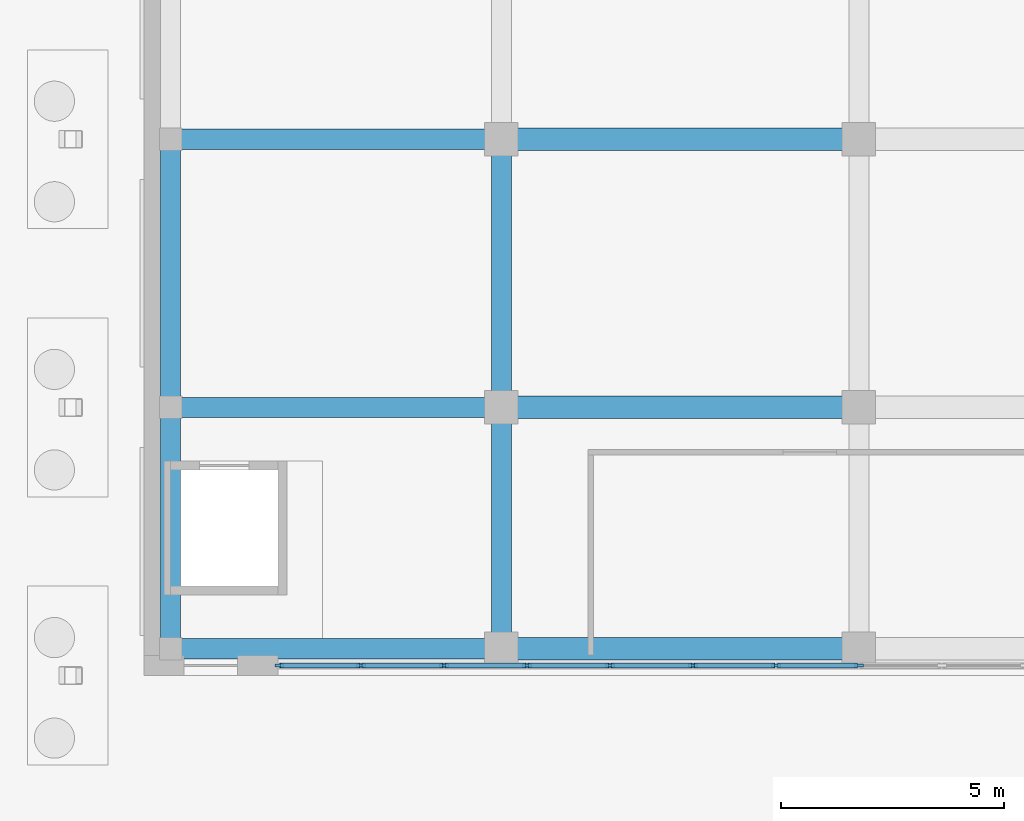
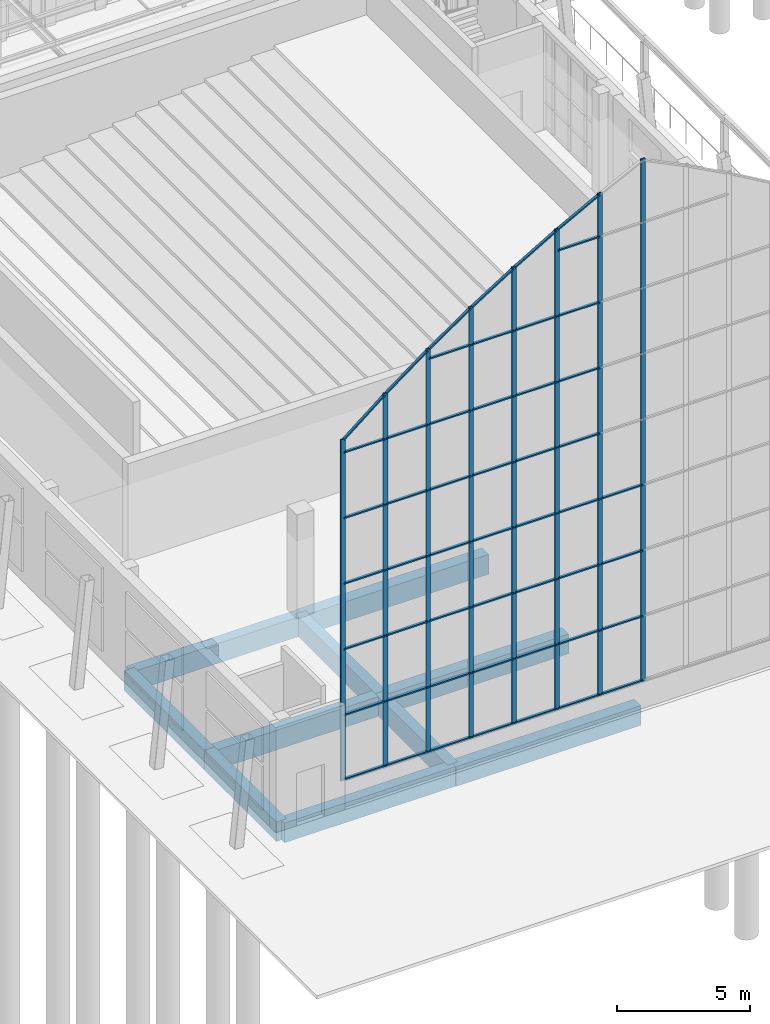
# One storey, part 25 of 144: 59 members, 10 beams, 1 element without a shape of its own.
"""IFC4 building model written with IfcOpenShell, lengths in metres."""

from ifc_helpers import new_model, si_unit, direction, frame, origin, origin_2d, place, context, subcontext, project, spatial, rectangle, extrude, material, layer, layer_set, material_profile, profile_set, type_object, element, aggregate, save


model = new_model("IFC4")

# Units and contexts
model_context = context("Model", 3, precision=1e-05, world=origin(), true_north=direction((0.0, 1.0)))
body_context = subcontext(model_context, "Body", "Model", "MODEL_VIEW")
ifc_project = project(units=[si_unit("LENGTHUNIT", "METRE"), si_unit("AREAUNIT", "SQUARE_METRE"), si_unit("VOLUMEUNIT", "CUBIC_METRE"), si_unit("PLANEANGLEUNIT", "RADIAN"), si_unit("MASSUNIT", "GRAM", prefix="KILO")], contexts=[model_context])

# Site, building, storey
site_placement = place(None, origin())
site = spatial("IfcSite", under=ifc_project, at=site_placement, CompositionType="ELEMENT")
building_placement = place(site_placement, origin())
building = spatial("IfcBuilding", under=site, at=building_placement, Name="Lantern Court Media Centre", CompositionType="ELEMENT")
storey_placement = place(building_placement, origin())
storey = spatial("IfcBuildingStorey", under=building, at=storey_placement, Name="L00", CompositionType="ELEMENT", Elevation=0.0)

# Curtain wall, members
ifc_material_1 = material(Name="Aluminium and glass", Category="aluminium")
ifc_layer = layer(ifc_material_1, 0.14990234375)
ifc_layer_set = layer_set([ifc_layer], Name="Aluminium and glass")
curtain_wall_type = type_object("IfcCurtainWallType", Name="Hall lancet glazing", PredefinedType="NOTDEFINED", material=ifc_layer_set)
curtain_wall_placement = place(storey_placement, origin())
curtain_wall = element("IfcCurtainWall", 1, at=curtain_wall_placement, inside=storey, type_object=curtain_wall_type, Name="Cinema Hall HCW-V10 glazing", PredefinedType="NOTDEFINED")
ifc_material_2 = material(Name="Aluminium, anodised", Category="aluminium")
ifc_material_profile_1 = material_profile(ifc_material_2, rectangle(XDim=0.06005859375, YDim=0.199951171875, at=origin_2d()), Name="HM")
ifc_profile_set_1 = profile_set([ifc_material_profile_1], Name="Aluminium, anodised")
member_type_1 = type_object("IfcMemberType", Name="HM", PredefinedType="MULLION", material=ifc_profile_set_1)
member_1_placement = place(storey_placement, frame((3.030029296875, -1.77490234375, 1.199951171875), z_axis=(0.0, 0.0, 1.0), x_axis=(0.0, 1.0, 0.0)))
member_1 = element("IfcMember", 2, at=member_1_placement, type_object=member_type_1, Name="HCW-V10 mullion 1", PredefinedType="MULLION", context=body_context, shape_type="SweptSolid", body=[
    extrude(rectangle(XDim=0.06005859375, YDim=0.199951171875, at=origin_2d()), origin(), (0.0, 0.0, 1.0), 15.616455078125),
])
member_2_placement = place(storey_placement, frame((4.857177734375, -1.77490234375, 1.199951171875), z_axis=(0.0, 0.0, 1.0), x_axis=(0.0, 1.0, 0.0)))
member_2 = element("IfcMember", 3, at=member_2_placement, type_object=member_type_1, Name="HCW-V10 mullion 2", PredefinedType="MULLION", context=body_context, shape_type="SweptSolid", body=[
    extrude(rectangle(XDim=0.06005859375, YDim=0.199951171875, at=origin_2d()), origin(), (0.0, 0.0, 1.0), 17.086181640625),
])
member_3_placement = place(storey_placement, frame((6.71435546875, -1.77490234375, 1.199951171875), z_axis=(0.0, 0.0, 1.0), x_axis=(0.0, 1.0, 0.0)))
member_3 = element("IfcMember", 4, at=member_3_placement, type_object=member_type_1, Name="HCW-V10 mullion 3", PredefinedType="MULLION", context=body_context, shape_type="SweptSolid", body=[
    extrude(rectangle(XDim=0.06005859375, YDim=0.199951171875, at=origin_2d()), origin(), (0.0, 0.0, 1.0), 18.465087890625),
])
member_4_placement = place(storey_placement, frame((8.571533203125, -1.77490234375, 1.199951171875), z_axis=(0.0, 0.0, 1.0), x_axis=(0.0, 1.0, 0.0)))
member_4 = element("IfcMember", 5, at=member_4_placement, type_object=member_type_1, Name="HCW-V10 mullion 4", PredefinedType="MULLION", context=body_context, shape_type="SweptSolid", body=[
    extrude(rectangle(XDim=0.06005859375, YDim=0.199951171875, at=origin_2d()), origin(), (0.0, 0.0, 1.0), 19.737060546875),
])
member_5_placement = place(storey_placement, frame((10.428466796875, -1.77490234375, 1.199951171875), z_axis=(0.0, 0.0, 1.0), x_axis=(0.0, 1.0, 0.0)))
member_5 = element("IfcMember", 6, at=member_5_placement, type_object=member_type_1, Name="HCW-V10 mullion 5", PredefinedType="MULLION", context=body_context, shape_type="SweptSolid", body=[
    extrude(rectangle(XDim=0.06005859375, YDim=0.199951171875, at=origin_2d()), origin(), (0.0, 0.0, 1.0), 20.910400390625),
])
member_6_placement = place(storey_placement, frame((12.28564453125, -1.77490234375, 1.199951171875), z_axis=(0.0, 0.0, 1.0), x_axis=(0.0, 1.0, 0.0)))
member_6 = element("IfcMember", 7, at=member_6_placement, type_object=member_type_1, Name="HCW-V10 mullion 6", PredefinedType="MULLION", context=body_context, shape_type="SweptSolid", body=[
    extrude(rectangle(XDim=0.06005859375, YDim=0.199951171875, at=origin_2d()), origin(), (0.0, 0.0, 1.0), 21.991943359375),
])
member_7_placement = place(storey_placement, frame((14.142822265625, -1.77490234375, 1.199951171875), z_axis=(0.0, 0.0, 1.0), x_axis=(0.0, 1.0, 0.0)))
member_7 = element("IfcMember", 8, at=member_7_placement, type_object=member_type_1, Name="HCW-V10 mullion 7", PredefinedType="MULLION", context=body_context, shape_type="SweptSolid", body=[
    extrude(rectangle(XDim=0.06005859375, YDim=0.199951171875, at=origin_2d()), origin(), (0.0, 0.0, 1.0), 22.98681640625),
])
member_8_placement = place(storey_placement, frame((16.0, -1.77490234375, 1.199951171875), z_axis=(0.0, 0.0, 1.0), x_axis=(0.0, 1.0, 0.0)))
member_8 = element("IfcMember", 9, at=member_8_placement, type_object=member_type_1, Name="HCW-V10 mullion 8", PredefinedType="MULLION", context=body_context, shape_type="SweptSolid", body=[
    extrude(rectangle(XDim=0.06005859375, YDim=0.199951171875, at=origin_2d()), origin(), (0.0, 0.0, 1.0), 23.900146484375),
])
ifc_material_profile_2 = material_profile(ifc_material_2, rectangle(XDim=0.1201171875, YDim=0.06005859375, at=origin_2d()), Name="HT")
ifc_profile_set_2 = profile_set([ifc_material_profile_2], Name="Aluminium, anodised")
member_type_2 = type_object("IfcMemberType", Name="HT", PredefinedType="USERDEFINED", material=ifc_profile_set_2)
member_9_placement = place(storey_placement, frame((3.06005859375, -1.77490234375, 1.260009765625), z_axis=(1.0, 0.0, 0.0), x_axis=(0.0, 1.0, 0.0)))
member_9 = element("IfcMember", 10, at=member_9_placement, type_object=member_type_2, Name="HCW-V10 transom 1.1", ObjectType="TRANSOM", PredefinedType="USERDEFINED", context=body_context, shape_type="SweptSolid", body=[
    extrude(rectangle(XDim=0.1201171875, YDim=0.06005859375, at=origin_2d()), origin(), (0.0, 0.0, 1.0), 1.76708984375),
])
member_10_placement = place(storey_placement, frame((3.06005859375, -1.77490234375, 4.199951171875), z_axis=(1.0, 0.0, 0.0), x_axis=(0.0, 1.0, 0.0)))
member_10 = element("IfcMember", 11, at=member_10_placement, type_object=member_type_2, Name="HCW-V10 transom 1.2", ObjectType="TRANSOM", PredefinedType="USERDEFINED", context=body_context, shape_type="SweptSolid", body=[
    extrude(rectangle(XDim=0.1201171875, YDim=0.06005859375, at=origin_2d()), origin(), (0.0, 0.0, 1.0), 1.76708984375),
])
member_11_placement = place(storey_placement, frame((3.06005859375, -1.77490234375, 7.199951171875), z_axis=(1.0, 0.0, 0.0), x_axis=(0.0, 1.0, 0.0)))
member_11 = element("IfcMember", 12, at=member_11_placement, type_object=member_type_2, Name="HCW-V10 transom 1.3", ObjectType="TRANSOM", PredefinedType="USERDEFINED", context=body_context, shape_type="SweptSolid", body=[
    extrude(rectangle(XDim=0.1201171875, YDim=0.06005859375, at=origin_2d()), origin(), (0.0, 0.0, 1.0), 1.76708984375),
])
member_12_placement = place(storey_placement, frame((3.06005859375, -1.77490234375, 10.199951171875), z_axis=(1.0, 0.0, 0.0), x_axis=(0.0, 1.0, 0.0)))
member_12 = element("IfcMember", 13, at=member_12_placement, type_object=member_type_2, Name="HCW-V10 transom 1.4", ObjectType="TRANSOM", PredefinedType="USERDEFINED", context=body_context, shape_type="SweptSolid", body=[
    extrude(rectangle(XDim=0.1201171875, YDim=0.06005859375, at=origin_2d()), origin(), (0.0, 0.0, 1.0), 1.76708984375),
])
member_13_placement = place(storey_placement, frame((3.06005859375, -1.77490234375, 13.199951171875), z_axis=(1.0, 0.0, 0.0), x_axis=(0.0, 1.0, 0.0)))
member_13 = element("IfcMember", 14, at=member_13_placement, type_object=member_type_2, Name="HCW-V10 transom 1.5", ObjectType="TRANSOM", PredefinedType="USERDEFINED", context=body_context, shape_type="SweptSolid", body=[
    extrude(rectangle(XDim=0.1201171875, YDim=0.06005859375, at=origin_2d()), origin(), (0.0, 0.0, 1.0), 1.76708984375),
])
member_14_placement = place(storey_placement, frame((3.06005859375, -1.77490234375, 16.199951171875), z_axis=(1.0, 0.0, 0.0), x_axis=(0.0, 1.0, 0.0)))
member_14 = element("IfcMember", 15, at=member_14_placement, type_object=member_type_2, Name="HCW-V10 transom 1.6", ObjectType="TRANSOM", PredefinedType="USERDEFINED", context=body_context, shape_type="SweptSolid", body=[
    extrude(rectangle(XDim=0.1201171875, YDim=0.06005859375, at=origin_2d()), origin(), (0.0, 0.0, 1.0), 1.76708984375),
])
member_15_placement = place(storey_placement, frame((3.06005859375, -1.77490234375, 16.781494140625), z_axis=(0.779154016633, 0.0, 0.626832528164), x_axis=(0.0, 1.0, 0.0)))
member_15 = element("IfcMember", 16, at=member_15_placement, type_object=member_type_2, Name="HCW-V10 head member 1", ObjectType="TRANSOM", PredefinedType="USERDEFINED", context=body_context, shape_type="SweptSolid", body=[
    extrude(rectangle(XDim=0.1201171875, YDim=0.06005859375, at=origin_2d()), origin(), (0.0, 0.0, 1.0), 2.26806640625),
])
member_16_placement = place(storey_placement, frame((4.88720703125, -1.77490234375, 1.260009765625), z_axis=(1.0, 0.0, 0.0), x_axis=(0.0, 1.0, 0.0)))
member_16 = element("IfcMember", 17, at=member_16_placement, type_object=member_type_2, Name="HCW-V10 transom 2.1", ObjectType="TRANSOM", PredefinedType="USERDEFINED", context=body_context, shape_type="SweptSolid", body=[
    extrude(rectangle(XDim=0.1201171875, YDim=0.06005859375, at=origin_2d()), origin(), (0.0, 0.0, 1.0), 1.797119140625),
])
member_17_placement = place(storey_placement, frame((4.88720703125, -1.77490234375, 4.199951171875), z_axis=(1.0, 0.0, 0.0), x_axis=(0.0, 1.0, 0.0)))
member_17 = element("IfcMember", 18, at=member_17_placement, type_object=member_type_2, Name="HCW-V10 transom 2.2", ObjectType="TRANSOM", PredefinedType="USERDEFINED", context=body_context, shape_type="SweptSolid", body=[
    extrude(rectangle(XDim=0.1201171875, YDim=0.06005859375, at=origin_2d()), origin(), (0.0, 0.0, 1.0), 1.797119140625),
])
member_18_placement = place(storey_placement, frame((4.88720703125, -1.77490234375, 7.199951171875), z_axis=(1.0, 0.0, 0.0), x_axis=(0.0, 1.0, 0.0)))
member_18 = element("IfcMember", 19, at=member_18_placement, type_object=member_type_2, Name="HCW-V10 transom 2.3", ObjectType="TRANSOM", PredefinedType="USERDEFINED", context=body_context, shape_type="SweptSolid", body=[
    extrude(rectangle(XDim=0.1201171875, YDim=0.06005859375, at=origin_2d()), origin(), (0.0, 0.0, 1.0), 1.797119140625),
])
member_19_placement = place(storey_placement, frame((4.88720703125, -1.77490234375, 10.199951171875), z_axis=(1.0, 0.0, 0.0), x_axis=(0.0, 1.0, 0.0)))
member_19 = element("IfcMember", 20, at=member_19_placement, type_object=member_type_2, Name="HCW-V10 transom 2.4", ObjectType="TRANSOM", PredefinedType="USERDEFINED", context=body_context, shape_type="SweptSolid", body=[
    extrude(rectangle(XDim=0.1201171875, YDim=0.06005859375, at=origin_2d()), origin(), (0.0, 0.0, 1.0), 1.797119140625),
])
member_20_placement = place(storey_placement, frame((4.88720703125, -1.77490234375, 13.199951171875), z_axis=(1.0, 0.0, 0.0), x_axis=(0.0, 1.0, 0.0)))
member_20 = element("IfcMember", 21, at=member_20_placement, type_object=member_type_2, Name="HCW-V10 transom 2.5", ObjectType="TRANSOM", PredefinedType="USERDEFINED", context=body_context, shape_type="SweptSolid", body=[
    extrude(rectangle(XDim=0.1201171875, YDim=0.06005859375, at=origin_2d()), origin(), (0.0, 0.0, 1.0), 1.797119140625),
])
member_21_placement = place(storey_placement, frame((4.88720703125, -1.77490234375, 16.199951171875), z_axis=(1.0, 0.0, 0.0), x_axis=(0.0, 1.0, 0.0)))
member_21 = element("IfcMember", 22, at=member_21_placement, type_object=member_type_2, Name="HCW-V10 transom 2.6", ObjectType="TRANSOM", PredefinedType="USERDEFINED", context=body_context, shape_type="SweptSolid", body=[
    extrude(rectangle(XDim=0.1201171875, YDim=0.06005859375, at=origin_2d()), origin(), (0.0, 0.0, 1.0), 1.797119140625),
])
member_22_placement = place(storey_placement, frame((4.88720703125, -1.77490234375, 18.24951171875), z_axis=(0.802961616558, 0.0, 0.596030739421), x_axis=(0.0, 1.0, 0.0)))
member_22 = element("IfcMember", 23, at=member_22_placement, type_object=member_type_2, Name="HCW-V10 head member 2", ObjectType="TRANSOM", PredefinedType="USERDEFINED", context=body_context, shape_type="SweptSolid", body=[
    extrude(rectangle(XDim=0.1201171875, YDim=0.06005859375, at=origin_2d()), origin(), (0.0, 0.0, 1.0), 2.238037109375),
])
member_23_placement = place(storey_placement, frame((6.744384765625, -1.77490234375, 1.260009765625), z_axis=(1.0, 0.0, 0.0), x_axis=(0.0, 1.0, 0.0)))
member_23 = element("IfcMember", 24, at=member_23_placement, type_object=member_type_2, Name="HCW-V10 transom 3.1", ObjectType="TRANSOM", PredefinedType="USERDEFINED", context=body_context, shape_type="SweptSolid", body=[
    extrude(rectangle(XDim=0.1201171875, YDim=0.06005859375, at=origin_2d()), origin(), (0.0, 0.0, 1.0), 1.797119140625),
])
member_24_placement = place(storey_placement, frame((6.744384765625, -1.77490234375, 4.199951171875), z_axis=(1.0, 0.0, 0.0), x_axis=(0.0, 1.0, 0.0)))
member_24 = element("IfcMember", 25, at=member_24_placement, type_object=member_type_2, Name="HCW-V10 transom 3.2", ObjectType="TRANSOM", PredefinedType="USERDEFINED", context=body_context, shape_type="SweptSolid", body=[
    extrude(rectangle(XDim=0.1201171875, YDim=0.06005859375, at=origin_2d()), origin(), (0.0, 0.0, 1.0), 1.797119140625),
])
member_25_placement = place(storey_placement, frame((6.744384765625, -1.77490234375, 7.199951171875), z_axis=(1.0, 0.0, 0.0), x_axis=(0.0, 1.0, 0.0)))
member_25 = element("IfcMember", 26, at=member_25_placement, type_object=member_type_2, Name="HCW-V10 transom 3.3", ObjectType="TRANSOM", PredefinedType="USERDEFINED", context=body_context, shape_type="SweptSolid", body=[
    extrude(rectangle(XDim=0.1201171875, YDim=0.06005859375, at=origin_2d()), origin(), (0.0, 0.0, 1.0), 1.797119140625),
])
member_26_placement = place(storey_placement, frame((6.744384765625, -1.77490234375, 10.199951171875), z_axis=(1.0, 0.0, 0.0), x_axis=(0.0, 1.0, 0.0)))
member_26 = element("IfcMember", 27, at=member_26_placement, type_object=member_type_2, Name="HCW-V10 transom 3.4", ObjectType="TRANSOM", PredefinedType="USERDEFINED", context=body_context, shape_type="SweptSolid", body=[
    extrude(rectangle(XDim=0.1201171875, YDim=0.06005859375, at=origin_2d()), origin(), (0.0, 0.0, 1.0), 1.797119140625),
])
member_27_placement = place(storey_placement, frame((6.744384765625, -1.77490234375, 13.199951171875), z_axis=(1.0, 0.0, 0.0), x_axis=(0.0, 1.0, 0.0)))
member_27 = element("IfcMember", 28, at=member_27_placement, type_object=member_type_2, Name="HCW-V10 transom 3.5", ObjectType="TRANSOM", PredefinedType="USERDEFINED", context=body_context, shape_type="SweptSolid", body=[
    extrude(rectangle(XDim=0.1201171875, YDim=0.06005859375, at=origin_2d()), origin(), (0.0, 0.0, 1.0), 1.797119140625),
])
member_28_placement = place(storey_placement, frame((6.744384765625, -1.77490234375, 16.199951171875), z_axis=(1.0, 0.0, 0.0), x_axis=(0.0, 1.0, 0.0)))
member_28 = element("IfcMember", 29, at=member_28_placement, type_object=member_type_2, Name="HCW-V10 transom 3.6", ObjectType="TRANSOM", PredefinedType="USERDEFINED", context=body_context, shape_type="SweptSolid", body=[
    extrude(rectangle(XDim=0.1201171875, YDim=0.06005859375, at=origin_2d()), origin(), (0.0, 0.0, 1.0), 1.797119140625),
])
member_29_placement = place(storey_placement, frame((6.744384765625, -1.77490234375, 19.199951171875), z_axis=(1.0, 0.0, 0.0), x_axis=(0.0, 1.0, 0.0)))
member_29 = element("IfcMember", 30, at=member_29_placement, type_object=member_type_2, Name="HCW-V10 transom 3.7", ObjectType="TRANSOM", PredefinedType="USERDEFINED", context=body_context, shape_type="SweptSolid", body=[
    extrude(rectangle(XDim=0.1201171875, YDim=0.06005859375, at=origin_2d()), origin(), (0.0, 0.0, 1.0), 1.797119140625),
])
member_30_placement = place(storey_placement, frame((6.744384765625, -1.77490234375, 19.626220703125), z_axis=(0.825018495386, 0.0, 0.565105726631), x_axis=(0.0, 1.0, 0.0)))
member_30 = element("IfcMember", 31, at=member_30_placement, type_object=member_type_2, Name="HCW-V10 head member 3", ObjectType="TRANSOM", PredefinedType="USERDEFINED", context=body_context, shape_type="SweptSolid", body=[
    extrude(rectangle(XDim=0.1201171875, YDim=0.06005859375, at=origin_2d()), origin(), (0.0, 0.0, 1.0), 2.17822265625),
])
member_31_placement = place(storey_placement, frame((8.601318359375, -1.77490234375, 1.260009765625), z_axis=(1.0, 0.0, 0.0), x_axis=(0.0, 1.0, 0.0)))
member_31 = element("IfcMember", 32, at=member_31_placement, type_object=member_type_2, Name="HCW-V10 transom 4.1", ObjectType="TRANSOM", PredefinedType="USERDEFINED", context=body_context, shape_type="SweptSolid", body=[
    extrude(rectangle(XDim=0.1201171875, YDim=0.06005859375, at=origin_2d()), origin(), (0.0, 0.0, 1.0), 1.79736328125),
])
member_32_placement = place(storey_placement, frame((8.601318359375, -1.77490234375, 4.199951171875), z_axis=(1.0, 0.0, 0.0), x_axis=(0.0, 1.0, 0.0)))
member_32 = element("IfcMember", 33, at=member_32_placement, type_object=member_type_2, Name="HCW-V10 transom 4.2", ObjectType="TRANSOM", PredefinedType="USERDEFINED", context=body_context, shape_type="SweptSolid", body=[
    extrude(rectangle(XDim=0.1201171875, YDim=0.06005859375, at=origin_2d()), origin(), (0.0, 0.0, 1.0), 1.79736328125),
])
member_33_placement = place(storey_placement, frame((8.601318359375, -1.77490234375, 7.199951171875), z_axis=(1.0, 0.0, 0.0), x_axis=(0.0, 1.0, 0.0)))
member_33 = element("IfcMember", 34, at=member_33_placement, type_object=member_type_2, Name="HCW-V10 transom 4.3", ObjectType="TRANSOM", PredefinedType="USERDEFINED", context=body_context, shape_type="SweptSolid", body=[
    extrude(rectangle(XDim=0.1201171875, YDim=0.06005859375, at=origin_2d()), origin(), (0.0, 0.0, 1.0), 1.79736328125),
])
member_34_placement = place(storey_placement, frame((8.601318359375, -1.77490234375, 10.199951171875), z_axis=(1.0, 0.0, 0.0), x_axis=(0.0, 1.0, 0.0)))
member_34 = element("IfcMember", 35, at=member_34_placement, type_object=member_type_2, Name="HCW-V10 transom 4.4", ObjectType="TRANSOM", PredefinedType="USERDEFINED", context=body_context, shape_type="SweptSolid", body=[
    extrude(rectangle(XDim=0.1201171875, YDim=0.06005859375, at=origin_2d()), origin(), (0.0, 0.0, 1.0), 1.79736328125),
])
member_35_placement = place(storey_placement, frame((8.601318359375, -1.77490234375, 13.199951171875), z_axis=(1.0, 0.0, 0.0), x_axis=(0.0, 1.0, 0.0)))
member_35 = element("IfcMember", 36, at=member_35_placement, type_object=member_type_2, Name="HCW-V10 transom 4.5", ObjectType="TRANSOM", PredefinedType="USERDEFINED", context=body_context, shape_type="SweptSolid", body=[
    extrude(rectangle(XDim=0.1201171875, YDim=0.06005859375, at=origin_2d()), origin(), (0.0, 0.0, 1.0), 1.79736328125),
])
member_36_placement = place(storey_placement, frame((8.601318359375, -1.77490234375, 16.199951171875), z_axis=(1.0, 0.0, 0.0), x_axis=(0.0, 1.0, 0.0)))
member_36 = element("IfcMember", 37, at=member_36_placement, type_object=member_type_2, Name="HCW-V10 transom 4.6", ObjectType="TRANSOM", PredefinedType="USERDEFINED", context=body_context, shape_type="SweptSolid", body=[
    extrude(rectangle(XDim=0.1201171875, YDim=0.06005859375, at=origin_2d()), origin(), (0.0, 0.0, 1.0), 1.79736328125),
])
member_37_placement = place(storey_placement, frame((8.601318359375, -1.77490234375, 19.199951171875), z_axis=(1.0, 0.0, 0.0), x_axis=(0.0, 1.0, 0.0)))
member_37 = element("IfcMember", 38, at=member_37_placement, type_object=member_type_2, Name="HCW-V10 transom 4.7", ObjectType="TRANSOM", PredefinedType="USERDEFINED", context=body_context, shape_type="SweptSolid", body=[
    extrude(rectangle(XDim=0.1201171875, YDim=0.06005859375, at=origin_2d()), origin(), (0.0, 0.0, 1.0), 1.79736328125),
])
member_38_placement = place(storey_placement, frame((8.601318359375, -1.77490234375, 20.896728515625), z_axis=(0.845420676883, 0.0, 0.53410100084), x_axis=(0.0, 1.0, 0.0)))
member_38 = element("IfcMember", 39, at=member_38_placement, type_object=member_type_2, Name="HCW-V10 head member 4", ObjectType="TRANSOM", PredefinedType="USERDEFINED", context=body_context, shape_type="SweptSolid", body=[
    extrude(rectangle(XDim=0.1201171875, YDim=0.06005859375, at=origin_2d()), origin(), (0.0, 0.0, 1.0), 2.1259765625),
])
member_39_placement = place(storey_placement, frame((10.45849609375, -1.77490234375, 1.260009765625), z_axis=(1.0, 0.0, 0.0), x_axis=(0.0, 1.0, 0.0)))
member_39 = element("IfcMember", 40, at=member_39_placement, type_object=member_type_2, Name="HCW-V10 transom 5.1", ObjectType="TRANSOM", PredefinedType="USERDEFINED", context=body_context, shape_type="SweptSolid", body=[
    extrude(rectangle(XDim=0.1201171875, YDim=0.06005859375, at=origin_2d()), origin(), (0.0, 0.0, 1.0), 1.797119140625),
])
member_40_placement = place(storey_placement, frame((10.45849609375, -1.77490234375, 4.199951171875), z_axis=(1.0, 0.0, 0.0), x_axis=(0.0, 1.0, 0.0)))
member_40 = element("IfcMember", 41, at=member_40_placement, type_object=member_type_2, Name="HCW-V10 transom 5.2", ObjectType="TRANSOM", PredefinedType="USERDEFINED", context=body_context, shape_type="SweptSolid", body=[
    extrude(rectangle(XDim=0.1201171875, YDim=0.06005859375, at=origin_2d()), origin(), (0.0, 0.0, 1.0), 1.797119140625),
])
member_41_placement = place(storey_placement, frame((10.45849609375, -1.77490234375, 7.199951171875), z_axis=(1.0, 0.0, 0.0), x_axis=(0.0, 1.0, 0.0)))
member_41 = element("IfcMember", 42, at=member_41_placement, type_object=member_type_2, Name="HCW-V10 transom 5.3", ObjectType="TRANSOM", PredefinedType="USERDEFINED", context=body_context, shape_type="SweptSolid", body=[
    extrude(rectangle(XDim=0.1201171875, YDim=0.06005859375, at=origin_2d()), origin(), (0.0, 0.0, 1.0), 1.797119140625),
])
member_42_placement = place(storey_placement, frame((10.45849609375, -1.77490234375, 10.199951171875), z_axis=(1.0, 0.0, 0.0), x_axis=(0.0, 1.0, 0.0)))
member_42 = element("IfcMember", 43, at=member_42_placement, type_object=member_type_2, Name="HCW-V10 transom 5.4", ObjectType="TRANSOM", PredefinedType="USERDEFINED", context=body_context, shape_type="SweptSolid", body=[
    extrude(rectangle(XDim=0.1201171875, YDim=0.06005859375, at=origin_2d()), origin(), (0.0, 0.0, 1.0), 1.797119140625),
])
member_43_placement = place(storey_placement, frame((10.45849609375, -1.77490234375, 13.199951171875), z_axis=(1.0, 0.0, 0.0), x_axis=(0.0, 1.0, 0.0)))
member_43 = element("IfcMember", 44, at=member_43_placement, type_object=member_type_2, Name="HCW-V10 transom 5.5", ObjectType="TRANSOM", PredefinedType="USERDEFINED", context=body_context, shape_type="SweptSolid", body=[
    extrude(rectangle(XDim=0.1201171875, YDim=0.06005859375, at=origin_2d()), origin(), (0.0, 0.0, 1.0), 1.797119140625),
])
member_44_placement = place(storey_placement, frame((10.45849609375, -1.77490234375, 16.199951171875), z_axis=(1.0, 0.0, 0.0), x_axis=(0.0, 1.0, 0.0)))
member_44 = element("IfcMember", 45, at=member_44_placement, type_object=member_type_2, Name="HCW-V10 transom 5.6", ObjectType="TRANSOM", PredefinedType="USERDEFINED", context=body_context, shape_type="SweptSolid", body=[
    extrude(rectangle(XDim=0.1201171875, YDim=0.06005859375, at=origin_2d()), origin(), (0.0, 0.0, 1.0), 1.797119140625),
])
member_45_placement = place(storey_placement, frame((10.45849609375, -1.77490234375, 19.199951171875), z_axis=(1.0, 0.0, 0.0), x_axis=(0.0, 1.0, 0.0)))
member_45 = element("IfcMember", 46, at=member_45_placement, type_object=member_type_2, Name="HCW-V10 transom 5.7", ObjectType="TRANSOM", PredefinedType="USERDEFINED", context=body_context, shape_type="SweptSolid", body=[
    extrude(rectangle(XDim=0.1201171875, YDim=0.06005859375, at=origin_2d()), origin(), (0.0, 0.0, 1.0), 1.797119140625),
])
member_46_placement = place(storey_placement, frame((10.45849609375, -1.77490234375, 22.068603515625), z_axis=(0.864183136309, 0.0, 0.503177410979), x_axis=(0.0, 1.0, 0.0)))
member_46 = element("IfcMember", 47, at=member_46_placement, type_object=member_type_2, Name="HCW-V10 head member 5", ObjectType="TRANSOM", PredefinedType="USERDEFINED", context=body_context, shape_type="SweptSolid", body=[
    extrude(rectangle(XDim=0.1201171875, YDim=0.06005859375, at=origin_2d()), origin(), (0.0, 0.0, 1.0), 2.07958984375),
])
member_47_placement = place(storey_placement, frame((12.315673828125, -1.77490234375, 1.260009765625), z_axis=(1.0, 0.0, 0.0), x_axis=(0.0, 1.0, 0.0)))
member_47 = element("IfcMember", 48, at=member_47_placement, type_object=member_type_2, Name="HCW-V10 transom 6.1", ObjectType="TRANSOM", PredefinedType="USERDEFINED", context=body_context, shape_type="SweptSolid", body=[
    extrude(rectangle(XDim=0.1201171875, YDim=0.06005859375, at=origin_2d()), origin(), (0.0, 0.0, 1.0), 1.797119140625),
])
member_48_placement = place(storey_placement, frame((12.315673828125, -1.77490234375, 4.199951171875), z_axis=(1.0, 0.0, 0.0), x_axis=(0.0, 1.0, 0.0)))
member_48 = element("IfcMember", 49, at=member_48_placement, type_object=member_type_2, Name="HCW-V10 transom 6.2", ObjectType="TRANSOM", PredefinedType="USERDEFINED", context=body_context, shape_type="SweptSolid", body=[
    extrude(rectangle(XDim=0.1201171875, YDim=0.06005859375, at=origin_2d()), origin(), (0.0, 0.0, 1.0), 1.797119140625),
])
member_49_placement = place(storey_placement, frame((12.315673828125, -1.77490234375, 7.199951171875), z_axis=(1.0, 0.0, 0.0), x_axis=(0.0, 1.0, 0.0)))
member_49 = element("IfcMember", 50, at=member_49_placement, type_object=member_type_2, Name="HCW-V10 transom 6.3", ObjectType="TRANSOM", PredefinedType="USERDEFINED", context=body_context, shape_type="SweptSolid", body=[
    extrude(rectangle(XDim=0.1201171875, YDim=0.06005859375, at=origin_2d()), origin(), (0.0, 0.0, 1.0), 1.797119140625),
])
member_50_placement = place(storey_placement, frame((12.315673828125, -1.77490234375, 10.199951171875), z_axis=(1.0, 0.0, 0.0), x_axis=(0.0, 1.0, 0.0)))
member_50 = element("IfcMember", 51, at=member_50_placement, type_object=member_type_2, Name="HCW-V10 transom 6.4", ObjectType="TRANSOM", PredefinedType="USERDEFINED", context=body_context, shape_type="SweptSolid", body=[
    extrude(rectangle(XDim=0.1201171875, YDim=0.06005859375, at=origin_2d()), origin(), (0.0, 0.0, 1.0), 1.797119140625),
])
member_51_placement = place(storey_placement, frame((12.315673828125, -1.77490234375, 13.199951171875), z_axis=(1.0, 0.0, 0.0), x_axis=(0.0, 1.0, 0.0)))
member_51 = element("IfcMember", 52, at=member_51_placement, type_object=member_type_2, Name="HCW-V10 transom 6.5", ObjectType="TRANSOM", PredefinedType="USERDEFINED", context=body_context, shape_type="SweptSolid", body=[
    extrude(rectangle(XDim=0.1201171875, YDim=0.06005859375, at=origin_2d()), origin(), (0.0, 0.0, 1.0), 1.797119140625),
])
member_52_placement = place(storey_placement, frame((12.315673828125, -1.77490234375, 16.199951171875), z_axis=(1.0, 0.0, 0.0), x_axis=(0.0, 1.0, 0.0)))
member_52 = element("IfcMember", 53, at=member_52_placement, type_object=member_type_2, Name="HCW-V10 transom 6.6", ObjectType="TRANSOM", PredefinedType="USERDEFINED", context=body_context, shape_type="SweptSolid", body=[
    extrude(rectangle(XDim=0.1201171875, YDim=0.06005859375, at=origin_2d()), origin(), (0.0, 0.0, 1.0), 1.797119140625),
])
member_53_placement = place(storey_placement, frame((12.315673828125, -1.77490234375, 19.199951171875), z_axis=(1.0, 0.0, 0.0), x_axis=(0.0, 1.0, 0.0)))
member_53 = element("IfcMember", 54, at=member_53_placement, type_object=member_type_2, Name="HCW-V10 transom 6.7", ObjectType="TRANSOM", PredefinedType="USERDEFINED", context=body_context, shape_type="SweptSolid", body=[
    extrude(rectangle(XDim=0.1201171875, YDim=0.06005859375, at=origin_2d()), origin(), (0.0, 0.0, 1.0), 1.797119140625),
])
member_54_placement = place(storey_placement, frame((12.315673828125, -1.77490234375, 22.199951171875), z_axis=(1.0, 0.0, 0.0), x_axis=(0.0, 1.0, 0.0)))
member_54 = element("IfcMember", 55, at=member_54_placement, type_object=member_type_2, Name="HCW-V10 transom 6.8", ObjectType="TRANSOM", PredefinedType="USERDEFINED", context=body_context, shape_type="SweptSolid", body=[
    extrude(rectangle(XDim=0.1201171875, YDim=0.06005859375, at=origin_2d()), origin(), (0.0, 0.0, 1.0), 1.797119140625),
])
member_55_placement = place(storey_placement, frame((12.315673828125, -1.77490234375, 23.148681640625), z_axis=(0.881499552218, 0.0, 0.472184857274), x_axis=(0.0, 1.0, 0.0)))
member_55 = element("IfcMember", 56, at=member_55_placement, type_object=member_type_2, Name="HCW-V10 head member 6", ObjectType="TRANSOM", PredefinedType="USERDEFINED", context=body_context, shape_type="SweptSolid", body=[
    extrude(rectangle(XDim=0.1201171875, YDim=0.06005859375, at=origin_2d()), origin(), (0.0, 0.0, 1.0), 2.038818359375),
])
member_56_placement = place(storey_placement, frame((14.1728515625, -1.77490234375, 1.260009765625), z_axis=(1.0, 0.0, 0.0), x_axis=(0.0, 1.0, 0.0)))
member_56 = element("IfcMember", 57, at=member_56_placement, type_object=member_type_2, Name="HCW-V10 transom 7.1", ObjectType="TRANSOM", PredefinedType="USERDEFINED", context=body_context, shape_type="SweptSolid", body=[
    extrude(rectangle(XDim=0.1201171875, YDim=0.06005859375, at=origin_2d()), origin(), (0.0, 0.0, 1.0), 1.797119140625),
])
member_57_placement = place(storey_placement, frame((14.1728515625, -1.77490234375, 4.199951171875), z_axis=(1.0, 0.0, 0.0), x_axis=(0.0, 1.0, 0.0)))
member_57 = element("IfcMember", 58, at=member_57_placement, type_object=member_type_2, Name="HCW-V10 transom 7.2", ObjectType="TRANSOM", PredefinedType="USERDEFINED", context=body_context, shape_type="SweptSolid", body=[
    extrude(rectangle(XDim=0.1201171875, YDim=0.06005859375, at=origin_2d()), origin(), (0.0, 0.0, 1.0), 1.797119140625),
])
member_58_placement = place(storey_placement, frame((14.1728515625, -1.77490234375, 7.199951171875), z_axis=(1.0, 0.0, 0.0), x_axis=(0.0, 1.0, 0.0)))
member_58 = element("IfcMember", 59, at=member_58_placement, type_object=member_type_2, Name="HCW-V10 transom 7.3", ObjectType="TRANSOM", PredefinedType="USERDEFINED", context=body_context, shape_type="SweptSolid", body=[
    extrude(rectangle(XDim=0.1201171875, YDim=0.06005859375, at=origin_2d()), origin(), (0.0, 0.0, 1.0), 1.797119140625),
])
member_59_placement = place(storey_placement, frame((14.1728515625, -1.77490234375, 10.199951171875), z_axis=(1.0, 0.0, 0.0), x_axis=(0.0, 1.0, 0.0)))
member_59 = element("IfcMember", 60, at=member_59_placement, type_object=member_type_2, Name="HCW-V10 transom 7.4", ObjectType="TRANSOM", PredefinedType="USERDEFINED", context=body_context, shape_type="SweptSolid", body=[
    extrude(rectangle(XDim=0.1201171875, YDim=0.06005859375, at=origin_2d()), origin(), (0.0, 0.0, 1.0), 1.797119140625),
])
aggregate(curtain_wall, [member_1, member_2, member_3, member_4, member_5, member_6, member_7, member_8, member_9, member_10, member_11, member_12, member_13, member_14, member_15, member_16, member_17, member_18, member_19, member_20, member_21, member_22, member_23, member_24, member_25, member_26, member_27, member_28, member_29, member_30, member_31, member_32, member_33, member_34, member_35, member_36, member_37, member_38, member_39, member_40, member_41, member_42, member_43, member_44, member_45, member_46, member_47, member_48, member_49, member_50, member_51, member_52, member_53, member_54, member_55, member_56, member_57, member_58, member_59])

# Beams
ifc_material_3 = material(Name="Concrete C35", Category="concrete")
ifc_material_profile_3 = material_profile(ifc_material_3, rectangle(XDim=0.449951171875, YDim=0.89990234375, at=origin_2d()), Name="RC 450x900")
ifc_profile_set_3 = profile_set([ifc_material_profile_3], Name="Concrete C35")
beam_type_1 = type_object("IfcBeamType", Name="RC BEAM 450x900", PredefinedType="BEAM", material=ifc_profile_set_3)
for number, where, z_axis, x_axis, name in (
    (61, (0.60009765625, -1.39990234375, -0.449951171875), (1.0, 0.0, 0.0), (0.0, 1.0, 0.0), "HB-V1-L00-PX0-0"),
    (62, (0.60009765625, 4.0, -0.449951171875), (1.0, 0.0, 0.0), (0.0, 1.0, 0.0), "HB-V1-L00-PX1-0"),
    (63, (0.60009765625, 10.0, -0.449951171875), (1.0, 0.0, 0.0), (0.0, 1.0, 0.0), "HB-V1-L00-PX2-0"),
):
    element("IfcBeam", number, at=place(storey_placement, frame(where, z_axis=z_axis, x_axis=x_axis)), inside=storey, type_object=beam_type_1, Name=name, PredefinedType="BEAM", context=body_context, shape_type="SweptSolid", body=[
        extrude(rectangle(XDim=0.449951171875, YDim=0.89990234375, at=origin_2d()), origin(), (0.0, 0.0, 1.0), 7.39990234375),
    ])
beam_1_placement = place(storey_placement, frame((0.60009765625, -1.39990234375, -0.449951171875), z_axis=(0.0, 1.0, 0.0), x_axis=(-1.0, 0.0, 0.0)))
element("IfcBeam", 64, at=beam_1_placement, inside=storey, type_object=beam_type_1, Name="HB-V1-L00-PY0-0", PredefinedType="BEAM", context=body_context, shape_type="SweptSolid", body=[
    extrude(rectangle(XDim=0.449951171875, YDim=0.89990234375, at=origin_2d()), origin(), (0.0, 0.0, 1.0), 5.39990234375),
])
beam_2_placement = place(storey_placement, frame((0.60009765625, 4.0, -0.449951171875), z_axis=(0.0, 1.0, 0.0), x_axis=(-1.0, 0.0, 0.0)))
element("IfcBeam", 65, at=beam_2_placement, inside=storey, type_object=beam_type_1, Name="HB-V1-L00-PY0-1", PredefinedType="BEAM", context=body_context, shape_type="SweptSolid", body=[
    extrude(rectangle(XDim=0.449951171875, YDim=0.89990234375, at=origin_2d()), origin(), (0.0, 0.0, 1.0), 6.0),
])
beam_3_placement = place(storey_placement, frame((8.0, -1.39990234375, -0.449951171875), z_axis=(0.0, 1.0, 0.0), x_axis=(-1.0, 0.0, 0.0)))
element("IfcBeam", 66, at=beam_3_placement, inside=storey, type_object=beam_type_1, Name="HB-V1-L00-PY1-0", PredefinedType="BEAM", context=body_context, shape_type="SweptSolid", body=[
    extrude(rectangle(XDim=0.449951171875, YDim=0.89990234375, at=origin_2d()), origin(), (0.0, 0.0, 1.0), 5.39990234375),
])
beam_4_placement = place(storey_placement, frame((8.0, 4.0, -0.449951171875), z_axis=(0.0, 1.0, 0.0), x_axis=(-1.0, 0.0, 0.0)))
element("IfcBeam", 67, at=beam_4_placement, inside=storey, type_object=beam_type_1, Name="HB-V1-L00-PY1-1", PredefinedType="BEAM", context=body_context, shape_type="SweptSolid", body=[
    extrude(rectangle(XDim=0.449951171875, YDim=0.89990234375, at=origin_2d()), origin(), (0.0, 0.0, 1.0), 6.0),
])
ifc_material_profile_4 = material_profile(ifc_material_3, rectangle(XDim=0.5, YDim=0.89990234375, at=origin_2d()), Name="RC 500x900")
ifc_profile_set_4 = profile_set([ifc_material_profile_4], Name="Concrete C35")
beam_type_2 = type_object("IfcBeamType", Name="RC BEAM 500x900", PredefinedType="BEAM", material=ifc_profile_set_4)
for number, where, z_axis, x_axis, name in (
    (68, (8.0, -1.39990234375, -0.449951171875), (1.0, 0.0, 0.0), (0.0, 1.0, 0.0), "HB-V1-L00-PX0-1"),
    (69, (8.0, 4.0, -0.449951171875), (1.0, 0.0, 0.0), (0.0, 1.0, 0.0), "HB-V1-L00-PX1-1"),
    (70, (8.0, 10.0, -0.449951171875), (1.0, 0.0, 0.0), (0.0, 1.0, 0.0), "HB-V1-L00-PX2-1"),
):
    element("IfcBeam", number, at=place(storey_placement, frame(where, z_axis=z_axis, x_axis=x_axis)), inside=storey, type_object=beam_type_2, Name=name, PredefinedType="BEAM", context=body_context, shape_type="SweptSolid", body=[
        extrude(rectangle(XDim=0.5, YDim=0.89990234375, at=origin_2d()), origin(), (0.0, 0.0, 1.0), 8.0),
    ])

save(model, "model.ifc")
